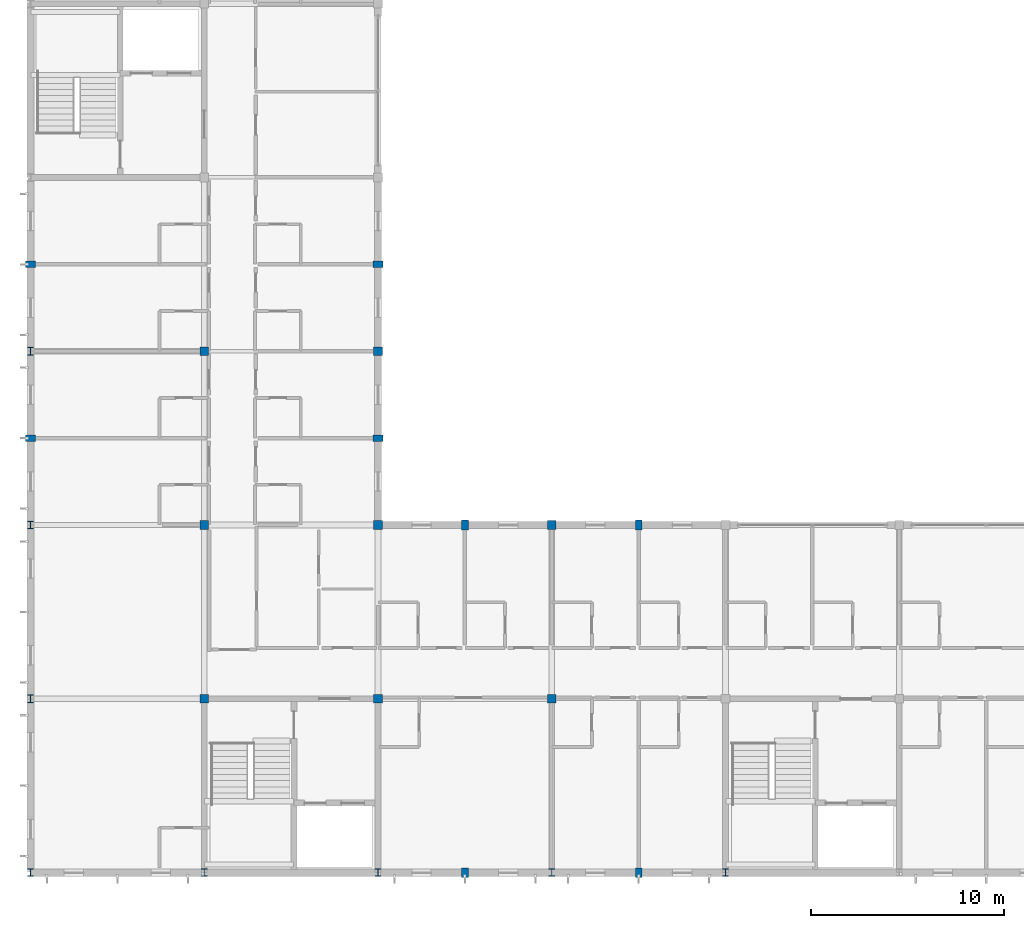
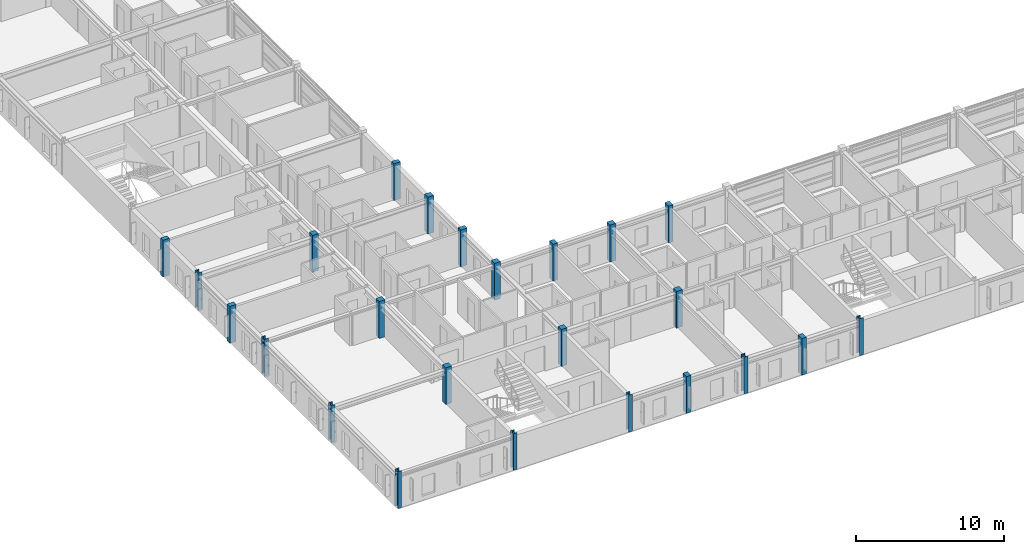
# One storey, part 1 of 20: 24 columns.
"""IFC4 building model written with IfcOpenShell, lengths in metres."""

from ifc_helpers import new_model, si_unit, direction, frame, origin, origin_2d, place, context, subcontext, project, spatial, rectangle, i_section, extrude, material, material_profile, profile_set, type_object, element, save


model = new_model("IFC4")

# Units and contexts
model_context = context("Model", 3, precision=1e-05, world=origin(), true_north=direction((0.0, 1.0)))
body_context = subcontext(model_context, "Body", "Model", "MODEL_VIEW")
ifc_project = project(units=[si_unit("LENGTHUNIT", "METRE"), si_unit("AREAUNIT", "SQUARE_METRE"), si_unit("VOLUMEUNIT", "CUBIC_METRE"), si_unit("PLANEANGLEUNIT", "RADIAN"), si_unit("MASSUNIT", "GRAM", prefix="KILO")], contexts=[model_context])

# Site, building, storey
site_placement = place(None, origin())
site = spatial("IfcSite", under=ifc_project, at=site_placement, CompositionType="ELEMENT")
building_placement = place(site_placement, origin())
building = spatial("IfcBuilding", under=site, at=building_placement, Name="Palais des Congres Ocreval", CompositionType="ELEMENT")
storey_placement = place(building_placement, frame((0.0, 0.0, 20.639892578125)))
storey = spatial("IfcBuildingStorey", under=building, at=storey_placement, Name="L06", CompositionType="ELEMENT", Elevation=20.639892578125)

# Columns
ifc_material_1 = material(Name="Steel S355", Category="steel")
ifc_material_profile_1 = material_profile(ifc_material_1, i_section(OverallWidth=0.300048828125, OverallDepth=0.39990234375, WebThickness=0.013427734375, FlangeThickness=0.02392578125, at=origin_2d()), Name="HEB 400")
ifc_profile_set_1 = profile_set([ifc_material_profile_1], Name="Steel S355")
column_type_1 = type_object("IfcColumnType", Name="Column HEB 400 Steel S355", PredefinedType="COLUMN", material=ifc_profile_set_1)
for number, where, z_axis, x_axis, name in (
    (1, (0.0, 0.0, 0.0), (0.0, 0.0, 1.0), (1.0, 0.0, 0.0), "Column C10 L06"),
    (2, (0.0, 9.0, 0.0), (0.0, 0.0, 1.0), (1.0, 0.0, 0.0), "Column C10 L06"),
    (3, (0.0, 18.0, 0.0), (0.0, 0.0, 1.0), (1.0, 0.0, 0.0), "Column C10 L06"),
    (4, (0.0, 27.0, 0.0), (0.0, 0.0, 1.0), (1.0, 0.0, 0.0), "Column C10 L06"),
    (5, (9.0, 0.0, 0.0), (0.0, 0.0, 1.0), (1.0, 0.0, 0.0), "Column C10 L06"),
    (6, (18.0, 0.0, 0.0), (0.0, 0.0, 1.0), (1.0, 0.0, 0.0), "Column C10 L06"),
    (7, (27.0, 0.0, 0.0), (0.0, 0.0, 1.0), (1.0, 0.0, 0.0), "Column C10 L06"),
    (8, (36.0, 0.0, 0.0), (0.0, 0.0, 1.0), (1.0, 0.0, 0.0), "Column C10 L06"),
):
    element("IfcColumn", number, at=place(storey_placement, frame(where, z_axis=z_axis, x_axis=x_axis)), inside=storey, type_object=column_type_1, Name=name, PredefinedType="COLUMN", context=body_context, shape_type="SweptSolid", body=[
        extrude(i_section(OverallWidth=0.300048828125, OverallDepth=0.39990234375, WebThickness=0.013427734375, FlangeThickness=0.02392578125, at=origin_2d()), origin(), (0.0, 0.0, 1.0), 3.0400390625),
    ])
ifc_material_2 = material(Name="Concrete C40/50", Category="concrete")
ifc_material_profile_2 = material_profile(ifc_material_2, rectangle(XDim=0.449951171875, YDim=0.449951171875, at=origin_2d()), Name="RC 450x450")
ifc_profile_set_2 = profile_set([ifc_material_profile_2], Name="Concrete C40/50")
column_type_2 = type_object("IfcColumnType", Name="Column RC 450x450 Concrete C40/50", PredefinedType="COLUMN", material=ifc_profile_set_2)
for number, where, z_axis, x_axis, name in (
    (9, (9.0, 9.0, 0.0), (0.0, 0.0, 1.0), (1.0, 0.0, 0.0), "Column C25 L06"),
    (10, (9.0, 18.0, 0.0), (0.0, 0.0, 1.0), (1.0, 0.0, 0.0), "Column C25 L06"),
    (11, (9.0, 27.0, 0.0), (0.0, 0.0, 1.0), (1.0, 0.0, 0.0), "Column C25 L06"),
    (12, (18.0, 9.0, 0.0), (0.0, 0.0, 1.0), (1.0, 0.0, 0.0), "Column C25 L06"),
    (13, (18.0, 18.0, 0.0), (0.0, 0.0, 1.0), (1.0, 0.0, 0.0), "Column C25 L06"),
    (14, (18.0, 27.0, 0.0), (0.0, 0.0, 1.0), (1.0, 0.0, 0.0), "Column C25 L06"),
    (15, (27.0, 9.0, 0.0), (0.0, 0.0, 1.0), (1.0, 0.0, 0.0), "Column C25 L06"),
    (16, (27.0, 18.0, 0.0), (0.0, 0.0, 1.0), (1.0, 0.0, 0.0), "Column C25 L06"),
):
    element("IfcColumn", number, at=place(storey_placement, frame(where, z_axis=z_axis, x_axis=x_axis)), inside=storey, type_object=column_type_2, Name=name, PredefinedType="COLUMN", context=body_context, shape_type="SweptSolid", body=[
        extrude(rectangle(XDim=0.449951171875, YDim=0.449951171875, at=origin_2d()), origin(), (0.0, 0.0, 1.0), 3.0400390625),
    ])
ifc_material_profile_3 = material_profile(ifc_material_2, rectangle(XDim=0.35009765625, YDim=0.5, at=origin_2d()), Name="RC 350x500")
ifc_profile_set_3 = profile_set([ifc_material_profile_3], Name="Concrete C40/50")
column_type_3 = type_object("IfcColumnType", Name="Pilaster RC 350x500 Concrete C40/50", PredefinedType="PILASTER", material=ifc_profile_set_3)
for number, where, z_axis, x_axis, name in (
    (17, (22.5, 0.0, 0.0), (0.0, 0.0, 1.0), (1.0, 0.0, 0.0), "Perimeter Pilaster PL03 L06"),
    (18, (31.5, 0.0, 0.0), (0.0, 0.0, 1.0), (1.0, 0.0, 0.0), "Perimeter Pilaster PL03 L06"),
    (19, (22.5, 18.0, 0.0), (0.0, 0.0, 1.0), (1.0, 0.0, 0.0), "Perimeter Pilaster PL03 L06"),
    (20, (31.5, 18.0, 0.0), (0.0, 0.0, 1.0), (1.0, 0.0, 0.0), "Perimeter Pilaster PL03 L06"),
    (21, (0.0, 22.5, 0.0), (0.0, 0.0, 1.0), (0.0, 1.0, 0.0), "Perimeter Pilaster PL03 L06"),
    (22, (0.0, 31.5, 0.0), (0.0, 0.0, 1.0), (0.0, 1.0, 0.0), "Perimeter Pilaster PL03 L06"),
    (23, (18.0, 22.5, 0.0), (0.0, 0.0, 1.0), (0.0, 1.0, 0.0), "Perimeter Pilaster PL03 L06"),
    (24, (18.0, 31.5, 0.0), (0.0, 0.0, 1.0), (0.0, 1.0, 0.0), "Perimeter Pilaster PL03 L06"),
):
    element("IfcColumn", number, at=place(storey_placement, frame(where, z_axis=z_axis, x_axis=x_axis)), inside=storey, type_object=column_type_3, Name=name, PredefinedType="PILASTER", context=body_context, shape_type="SweptSolid", body=[
        extrude(rectangle(XDim=0.35009765625, YDim=0.5, at=origin_2d()), origin(), (0.0, 0.0, 1.0), 3.0400390625),
    ])

save(model, "model.ifc")
